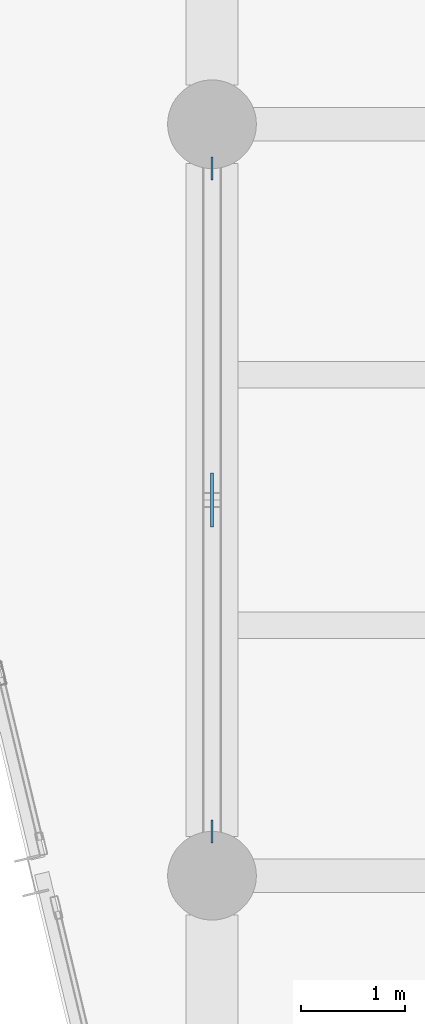
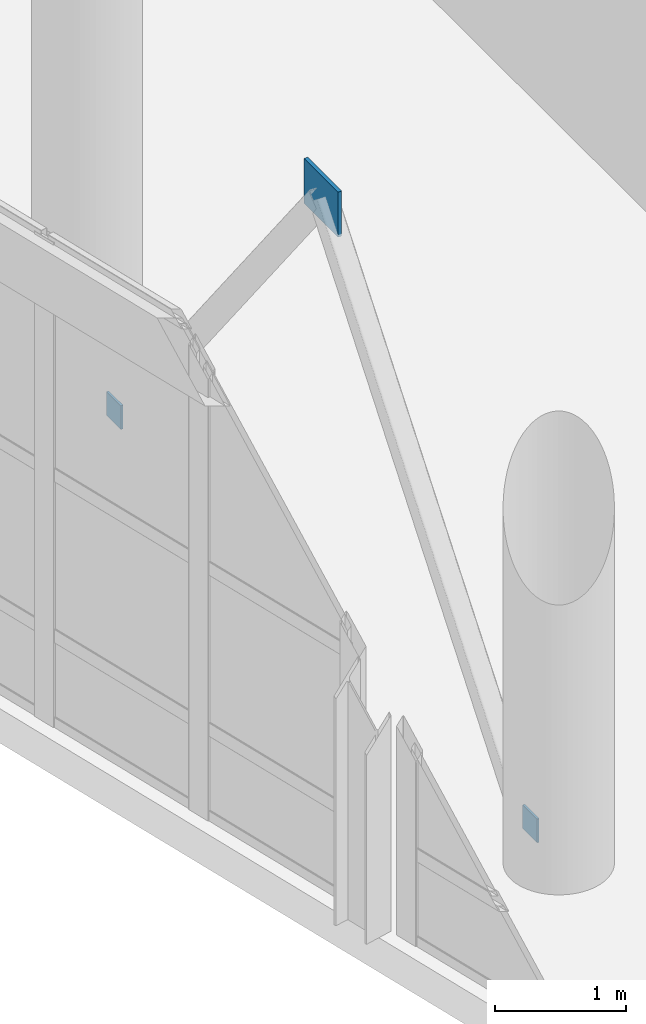
# One storey, part 90 of 127: 3 plates.
"""IFC4 building model written with IfcOpenShell, lengths in metres."""

from ifc_helpers import new_model, si_unit, direction, frame, origin, origin_2d, place, context, subcontext, project, spatial, rectangle, extrude, material, layer, layer_set, type_object, element, save


model = new_model("IFC4")

# Units and contexts
model_context = context("Model", 3, precision=1e-05, world=origin(), true_north=direction((0.0, 1.0)))
body_context = subcontext(model_context, "Body", "Model", "MODEL_VIEW")
ifc_project = project(units=[si_unit("LENGTHUNIT", "METRE"), si_unit("AREAUNIT", "SQUARE_METRE"), si_unit("VOLUMEUNIT", "CUBIC_METRE"), si_unit("PLANEANGLEUNIT", "RADIAN"), si_unit("MASSUNIT", "GRAM", prefix="KILO")], contexts=[model_context])

# Site, building, storey
site_placement = place(None, origin())
site = spatial("IfcSite", under=ifc_project, at=site_placement, CompositionType="ELEMENT")
building_placement = place(site_placement, origin())
building = spatial("IfcBuilding", under=site, at=building_placement, Name="Kalmorath City Hall", CompositionType="ELEMENT")
storey_placement = place(building_placement, frame((0.0, 0.0, 5.39990234375)))
storey = spatial("IfcBuildingStorey", under=building, at=storey_placement, Name="L01", CompositionType="ELEMENT", Elevation=5.39990234375)

# Plates
ifc_material_1 = material(Name="Steel ASTM A572 Grade 50", Category="steel")
ifc_layer_1 = layer(ifc_material_1, 0.02001953125)
ifc_layer_set_1 = layer_set([ifc_layer_1], Name="Steel ASTM A572 Grade 50")
plate_type_1 = type_object("IfcPlateType", Name="Steel HSS end-cap plate 220x220x20", PredefinedType="SHEET", material=ifc_layer_set_1)
for number, where, z_axis, x_axis, name in (
    (1, (136.800048828125, 50.824951171875, 0.0), (0.0, 0.0, 1.0), (0.0, 1.0, 0.0), "L01 brace foot end-plate GP5-30L"),
    (2, (136.800048828125, 57.175048828125, 0.0), (0.0, 0.0, 1.0), (0.0, 1.0, 0.0), "L01 brace foot end-plate GP5-30R"),
):
    element("IfcPlate", number, at=place(storey_placement, frame(where, z_axis=z_axis, x_axis=x_axis)), inside=storey, type_object=plate_type_1, Name=name, PredefinedType="SHEET", context=body_context, shape_type="SweptSolid", body=[
        extrude(rectangle(XDim=0.219970703125, YDim=0.02001953125, at=origin_2d()), origin(), (0.0, 0.0, 1.0), 0.219970703125),
    ])
ifc_material_2 = material(Name="Steel ASTM A572 Grade 50", Category="steel")
ifc_layer_2 = layer(ifc_material_2, 0.031982421875)
ifc_layer_set_2 = layer_set([ifc_layer_2], Name="Steel ASTM A572 Grade 50")
plate_type_2 = type_object("IfcPlateType", Name="Steel brace gusset plate 520x420x32", PredefinedType="USERDEFINED", material=ifc_layer_set_2)
plate_placement = place(storey_placement, frame((136.800048828125, 54.0, 3.81005859375), z_axis=(0.0, 0.0, 1.0), x_axis=(0.0, 1.0, 0.0)))
element("IfcPlate", 3, at=plate_placement, inside=storey, type_object=plate_type_2, Name="L01 brace gusset plate GP2-30", ObjectType="GUSSET PLATE", PredefinedType="USERDEFINED", context=body_context, shape_type="SweptSolid", body=[
    extrude(rectangle(XDim=0.52001953125, YDim=0.031982421875, at=origin_2d()), origin(), (0.0, 0.0, 1.0), 0.419921875),
])

save(model, "model.ifc")
